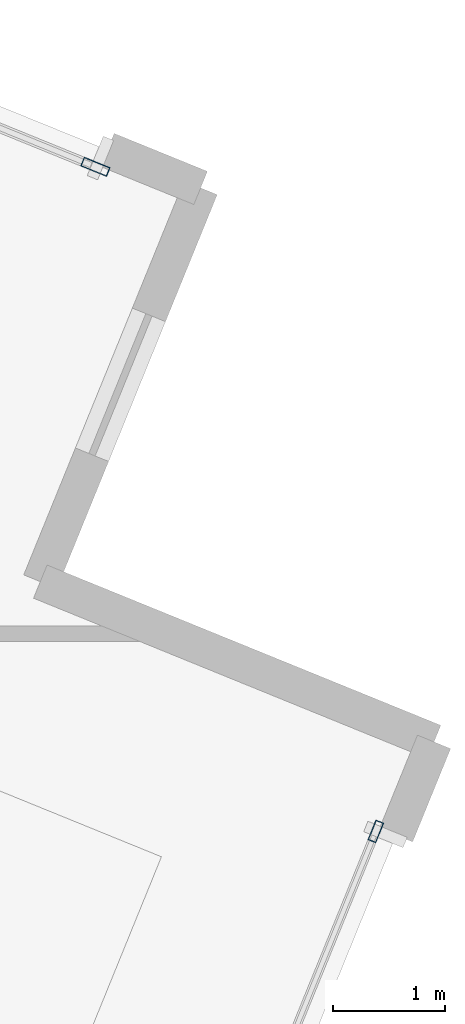
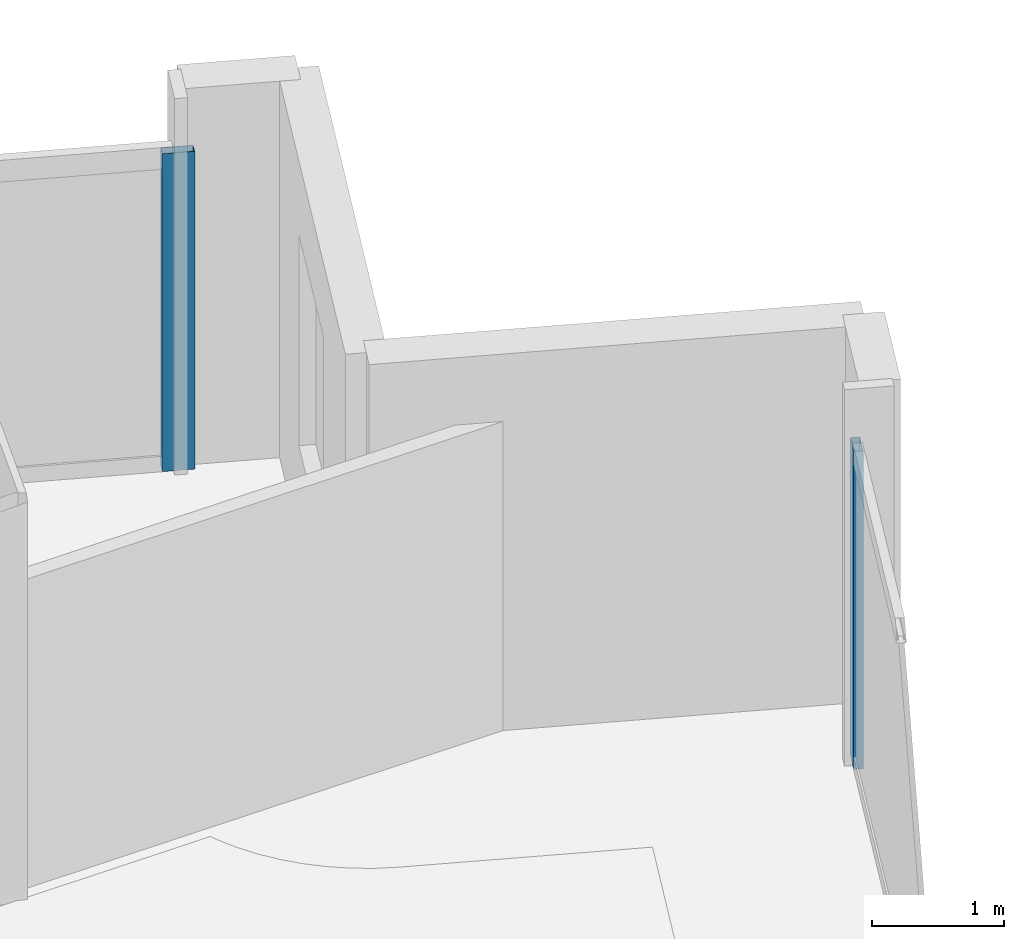
# One storey, part 21 of 31: 2 members, 2 elements without a shape of their own.
"""IFC4 building model written with IfcOpenShell, lengths in metres."""

from ifc_helpers import new_model, si_unit, direction, frame, origin, origin_2d, place, context, subcontext, project, spatial, hollow_rectangle, extrude, material, material_profile, profile_set, type_object, element, aggregate, save


model = new_model("IFC4")

# Units and contexts
model_context = context("Model", 3, precision=1e-05, world=origin(), true_north=direction((0.0, 1.0)))
body_context = subcontext(model_context, "Body", "Model", "MODEL_VIEW")
ifc_project = project(units=[si_unit("LENGTHUNIT", "METRE"), si_unit("AREAUNIT", "SQUARE_METRE"), si_unit("VOLUMEUNIT", "CUBIC_METRE"), si_unit("PLANEANGLEUNIT", "RADIAN"), si_unit("MASSUNIT", "GRAM", prefix="KILO")], contexts=[model_context])

# Site, building, storey
site_placement = place(None, origin())
site = spatial("IfcSite", under=ifc_project, at=site_placement, CompositionType="ELEMENT")
building_placement = place(site_placement, origin())
building = spatial("IfcBuilding", under=site, at=building_placement, Name="Haldenkirk Collegiate Tower", CompositionType="ELEMENT")
storey_placement = place(building_placement, frame((0.0, 0.0, 256.199951171875)))
storey = spatial("IfcBuildingStorey", under=building, at=storey_placement, Name="L64", CompositionType="ELEMENT", Elevation=256.199951171875)

# Curtain wall, member
ifc_material = material(Name="Anodised architectural bronze aluminium", Category="aluminium")
curtain_wall_type_1 = type_object("IfcCurtainWallType", Name="CW-SYS2-CONCAVE", PredefinedType="USERDEFINED", material=ifc_material)
curtain_wall_1_placement = place(storey_placement, origin())
curtain_wall_1 = element("IfcCurtainWall", 1, at=curtain_wall_1_placement, inside=storey, type_object=curtain_wall_type_1, Name="L64 South concave recessed bronze-anodised curtain wall", ObjectType="UNITISED CURTAIN WALL", PredefinedType="USERDEFINED")
ifc_material_profile_1 = material_profile(ifc_material, hollow_rectangle(XDim=0.074951171875, YDim=0.18994140625, WallThickness=0.0048828125, at=origin_2d()), Name="CW-MUL-02")
ifc_profile_set_1 = profile_set([ifc_material_profile_1], Name="Anodised architectural bronze aluminium")
member_type_1 = type_object("IfcMemberType", Name="CW-MUL-02", PredefinedType="MULLION", material=ifc_profile_set_1)
member_1_placement = place(storey_placement, frame((64.17236328125, 34.681396484375, 0.0), z_axis=(0.0, 0.0, 1.0), x_axis=(0.926200245722, -0.377031967908, 0.0)))
member_1 = element("IfcMember", 2, at=member_1_placement, type_object=member_type_1, Name="CW-02 mullion 1", PredefinedType="MULLION", context=body_context, shape_type="SweptSolid", body=[
    extrude(hollow_rectangle(XDim=0.074951171875, YDim=0.18994140625, WallThickness=0.0048828125, at=origin_2d()), origin(), (0.0, 0.0, 1.0), 2.93798828125),
])
aggregate(curtain_wall_1, [member_1])

curtain_wall_type_2 = type_object("IfcCurtainWallType", Name="CW-SYS1B-CONVEX-HI", PredefinedType="USERDEFINED", material=ifc_material)
curtain_wall_2_placement = place(storey_placement, origin())
curtain_wall_2 = element("IfcCurtainWall", 3, at=curtain_wall_2_placement, inside=storey, type_object=curtain_wall_type_2, Name="L64 Upper tower high-wind convex bronze unitised curtain wall", ObjectType="UNITISED CURTAIN WALL", PredefinedType="USERDEFINED")
ifc_material_profile_2 = material_profile(ifc_material, hollow_rectangle(XDim=0.0849609375, YDim=0.25, WallThickness=0.0048828125, at=origin_2d()), Name="CW-MUL-1B")
ifc_profile_set_2 = profile_set([ifc_material_profile_2], Name="Anodised architectural bronze aluminium")
member_type_2 = type_object("IfcMemberType", Name="CW-MUL-1B", PredefinedType="MULLION", material=ifc_profile_set_2)
member_2_placement = place(storey_placement, frame((61.664794921875, 40.622802734375, 0.0), z_axis=(0.0, 0.0, 1.0), x_axis=(0.377034271745, 0.926199307886, 0.0)))
member_2 = element("IfcMember", 4, at=member_2_placement, type_object=member_type_2, Name="CW-1B mullion 4", PredefinedType="MULLION", context=body_context, shape_type="SweptSolid", body=[
    extrude(hollow_rectangle(XDim=0.0849609375, YDim=0.25, WallThickness=0.0048828125, at=origin_2d()), origin(), (0.0, 0.0, 1.0), 2.93798828125),
])
aggregate(curtain_wall_2, [member_2])

save(model, "model.ifc")
